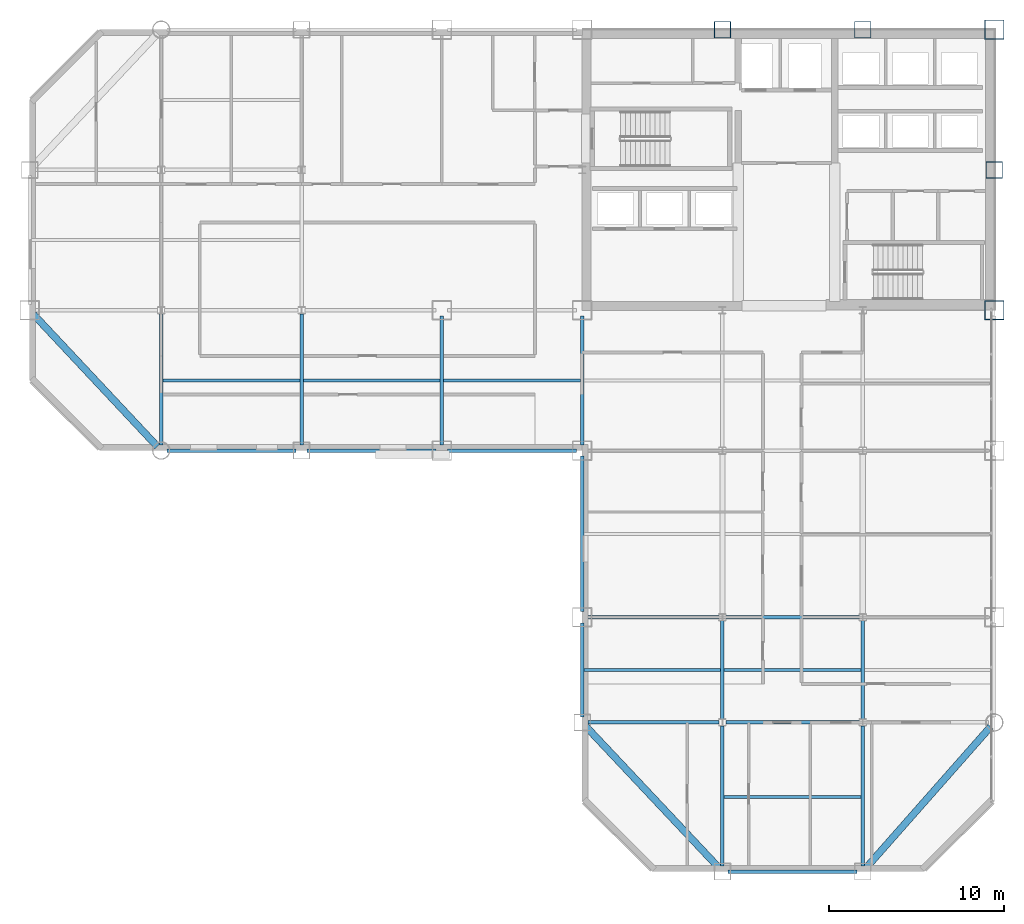
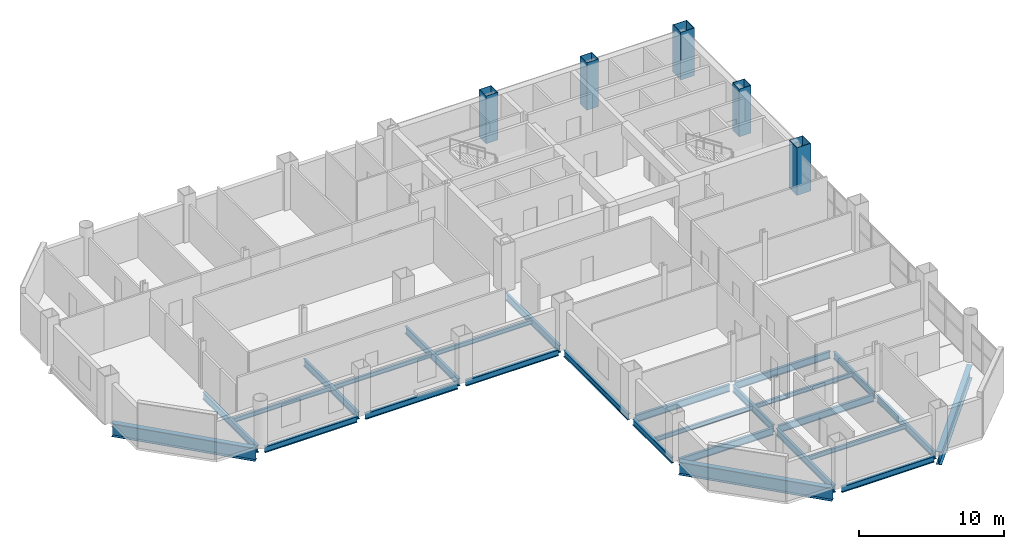
# One storey, part 4 of 16: 27 beams, 5 columns.
"""IFC4 building model written with IfcOpenShell, lengths in metres."""

from ifc_helpers import new_model, si_unit, direction, frame, origin, origin_2d, place, context, subcontext, project, spatial, hollow_rectangle, i_section, extrude, material, material_profile, profile_set, type_object, element, save


model = new_model("IFC4")

# Units and contexts
model_context = context("Model", 3, precision=1e-05, world=origin(), true_north=direction((0.0, 1.0)))
body_context = subcontext(model_context, "Body", "Model", "MODEL_VIEW")
ifc_project = project(units=[si_unit("LENGTHUNIT", "METRE"), si_unit("AREAUNIT", "SQUARE_METRE"), si_unit("VOLUMEUNIT", "CUBIC_METRE"), si_unit("PLANEANGLEUNIT", "RADIAN"), si_unit("MASSUNIT", "GRAM", prefix="KILO")], contexts=[model_context])

# Site, building, storey
site_placement = place(None, origin())
site = spatial("IfcSite", under=ifc_project, at=site_placement, CompositionType="ELEMENT")
building_placement = place(site_placement, origin())
building = spatial("IfcBuilding", under=site, at=building_placement, Name="Qianrong Seaharbour Tower", CompositionType="ELEMENT")
storey_placement = place(building_placement, frame((0.0, 0.0, 127.0)))
storey = spatial("IfcBuildingStorey", under=building, at=storey_placement, Name="L30", CompositionType="ELEMENT", Elevation=127.0)

# Columns
ifc_material_1 = material(Name="Structural steel SN490B", Category="steel")
ifc_material_profile_1 = material_profile(ifc_material_1, hollow_rectangle(XDim=1.10009765625, YDim=1.10009765625, WallThickness=0.0400390625, at=origin_2d()), Name="BOX1100x1100x40")
ifc_profile_set_1 = profile_set([ifc_material_profile_1], Name="Structural steel SN490B")
column_type_1 = type_object("IfcColumnType", Name="COL-CFT-1100", PredefinedType="COLUMN", material=ifc_profile_set_1)
for number, where, z_axis, x_axis, name in (
    (1, (64.0, 36.0, 0.0), (0.0, 0.0, 1.0), (1.0, 0.0, 0.0), "L30 Column MC-3 at G9/GF"),
    (2, (64.0, 52.0, 0.0), (0.0, 0.0, 1.0), (1.0, 0.0, 0.0), "L30 Column MC-3 at G9/GH"),
):
    element("IfcColumn", number, at=place(storey_placement, frame(where, z_axis=z_axis, x_axis=x_axis)), inside=storey, type_object=column_type_1, Name=name, PredefinedType="COLUMN", context=body_context, shape_type="SweptSolid", body=[
        extrude(hollow_rectangle(XDim=1.10009765625, YDim=1.10009765625, WallThickness=0.0400390625, at=origin_2d()), origin(), (0.0, 0.0, 1.0), 4.0),
    ])
ifc_material_profile_2 = material_profile(ifc_material_1, hollow_rectangle(XDim=0.949951171875, YDim=0.949951171875, WallThickness=0.035888671875, at=origin_2d()), Name="BOX950x950x36")
ifc_profile_set_2 = profile_set([ifc_material_profile_2], Name="Structural steel SN490B")
column_type_2 = type_object("IfcColumnType", Name="COL-PER-950", PredefinedType="COLUMN", material=ifc_profile_set_2)
for number, where, z_axis, x_axis, name in (
    (3, (48.5, 52.0, 0.0), (0.0, 0.0, 1.0), (1.0, 0.0, 0.0), "L30 Column PC-2 at G7/GH"),
    (4, (56.5, 52.0, 0.0), (0.0, 0.0, 1.0), (1.0, 0.0, 0.0), "L30 Column PC-2 at G8/GH"),
    (5, (64.0, 44.0, 0.0), (0.0, 0.0, 1.0), (1.0, 0.0, 0.0), "L30 Column PC-2 at G9/GG"),
):
    element("IfcColumn", number, at=place(storey_placement, frame(where, z_axis=z_axis, x_axis=x_axis)), inside=storey, type_object=column_type_2, Name=name, PredefinedType="COLUMN", context=body_context, shape_type="SweptSolid", body=[
        extrude(hollow_rectangle(XDim=0.949951171875, YDim=0.949951171875, WallThickness=0.035888671875, at=origin_2d()), origin(), (0.0, 0.0, 1.0), 4.0),
    ])

# Beams
ifc_material_profile_3 = material_profile(ifc_material_1, i_section(OverallWidth=0.199951171875, OverallDepth=0.60009765625, WebThickness=0.010986328125, FlangeThickness=0.01708984375, FilletRadius=0.02197265625, at=origin_2d()), Name="H600x200x11x17")
ifc_profile_set_3 = profile_set([ifc_material_profile_3], Name="Structural steel SN490B")
beam_type_1 = type_object("IfcBeamType", Name="BM-G-600", PredefinedType="BEAM", material=ifc_profile_set_3)
beam_1_placement = place(storey_placement, frame((40.820068359375, 12.5, -0.534912109375), z_axis=(1.0, 0.0, 0.0), x_axis=(0.0, 1.0, 0.0)))
element("IfcBeam", 6, at=beam_1_placement, inside=storey, type_object=beam_type_1, Name="L30 Primary Girder GC G6-G7", PredefinedType="BEAM", context=body_context, shape_type="SweptSolid", body=[
    extrude(i_section(OverallWidth=0.199951171875, OverallDepth=0.60009765625, WebThickness=0.010986328125, FlangeThickness=0.01708984375, FilletRadius=0.02197265625, at=origin_2d()), origin(), (0.0, 0.0, 1.0), 7.47998046875),
])
beam_2_placement = place(storey_placement, frame((48.699951171875, 12.5, -0.534912109375), z_axis=(1.0, 0.0, 0.0), x_axis=(0.0, 1.0, 0.0)))
element("IfcBeam", 7, at=beam_2_placement, inside=storey, type_object=beam_type_1, Name="L30 Primary Girder GC G7-G8", PredefinedType="BEAM", context=body_context, shape_type="SweptSolid", body=[
    extrude(i_section(OverallWidth=0.199951171875, OverallDepth=0.60009765625, WebThickness=0.010986328125, FlangeThickness=0.01708984375, FilletRadius=0.02197265625, at=origin_2d()), origin(), (0.0, 0.0, 1.0), 7.60009765625),
])
beam_3_placement = place(storey_placement, frame((40.820068359375, 18.5, -0.534912109375), z_axis=(1.0, 0.0, 0.0), x_axis=(0.0, 1.0, 0.0)))
element("IfcBeam", 8, at=beam_3_placement, inside=storey, type_object=beam_type_1, Name="L30 Primary Girder GD G6-G7", PredefinedType="BEAM", context=body_context, shape_type="SweptSolid", body=[
    extrude(i_section(OverallWidth=0.199951171875, OverallDepth=0.60009765625, WebThickness=0.010986328125, FlangeThickness=0.01708984375, FilletRadius=0.02197265625, at=origin_2d()), origin(), (0.0, 0.0, 1.0), 7.47998046875),
])
beam_4_placement = place(storey_placement, frame((48.699951171875, 18.5, -0.534912109375), z_axis=(1.0, 0.0, 0.0), x_axis=(0.0, 1.0, 0.0)))
element("IfcBeam", 9, at=beam_4_placement, inside=storey, type_object=beam_type_1, Name="L30 Primary Girder GD G7-G8", PredefinedType="BEAM", context=body_context, shape_type="SweptSolid", body=[
    extrude(i_section(OverallWidth=0.199951171875, OverallDepth=0.60009765625, WebThickness=0.010986328125, FlangeThickness=0.01708984375, FilletRadius=0.02197265625, at=origin_2d()), origin(), (0.0, 0.0, 1.0), 7.60009765625),
])
for number, where, z_axis, x_axis, name in (
    (10, (16.5, 28.320068359375, -0.534912109375), (0.0, 1.0, 0.0), (-1.0, 0.0, 0.0), "L30 Primary Girder G3 GE-GF"),
    (11, (24.5, 28.320068359375, -0.534912109375), (0.0, 1.0, 0.0), (-1.0, 0.0, 0.0), "L30 Primary Girder G4 GE-GF"),
):
    element("IfcBeam", number, at=place(storey_placement, frame(where, z_axis=z_axis, x_axis=x_axis)), inside=storey, type_object=beam_type_1, Name=name, PredefinedType="BEAM", context=body_context, shape_type="SweptSolid", body=[
        extrude(i_section(OverallWidth=0.199951171875, OverallDepth=0.60009765625, WebThickness=0.010986328125, FlangeThickness=0.01708984375, FilletRadius=0.02197265625, at=origin_2d()), origin(), (0.0, 0.0, 1.0), 7.47998046875),
    ])
for number, where, z_axis, x_axis, name in (
    (12, (32.5, 28.320068359375, -0.534912109375), (0.0, 1.0, 0.0), (-1.0, 0.0, 0.0), "L30 Primary Girder G5 GE-GF"),
    (13, (40.5, 28.320068359375, -0.534912109375), (0.0, 1.0, 0.0), (-1.0, 0.0, 0.0), "L30 Primary Girder G6 GE-GF"),
):
    element("IfcBeam", number, at=place(storey_placement, frame(where, z_axis=z_axis, x_axis=x_axis)), inside=storey, type_object=beam_type_1, Name=name, PredefinedType="BEAM", context=body_context, shape_type="SweptSolid", body=[
        extrude(i_section(OverallWidth=0.199951171875, OverallDepth=0.60009765625, WebThickness=0.010986328125, FlangeThickness=0.01708984375, FilletRadius=0.02197265625, at=origin_2d()), origin(), (0.0, 0.0, 1.0), 7.35986328125),
    ])
beam_5_placement = place(storey_placement, frame((48.5, 4.320068359375, -0.534912109375), z_axis=(0.0, 1.0, 0.0), x_axis=(-1.0, 0.0, 0.0)))
element("IfcBeam", 14, at=beam_5_placement, inside=storey, type_object=beam_type_1, Name="L30 Primary Girder G7 GB-GC", PredefinedType="BEAM", context=body_context, shape_type="SweptSolid", body=[
    extrude(i_section(OverallWidth=0.199951171875, OverallDepth=0.60009765625, WebThickness=0.010986328125, FlangeThickness=0.01708984375, FilletRadius=0.02197265625, at=origin_2d()), origin(), (0.0, 0.0, 1.0), 7.97998046875),
])
beam_6_placement = place(storey_placement, frame((48.5, 12.699951171875, -0.534912109375), z_axis=(0.0, 1.0, 0.0), x_axis=(-1.0, 0.0, 0.0)))
element("IfcBeam", 15, at=beam_6_placement, inside=storey, type_object=beam_type_1, Name="L30 Primary Girder G7 GC-GD", PredefinedType="BEAM", context=body_context, shape_type="SweptSolid", body=[
    extrude(i_section(OverallWidth=0.199951171875, OverallDepth=0.60009765625, WebThickness=0.010986328125, FlangeThickness=0.01708984375, FilletRadius=0.02197265625, at=origin_2d()), origin(), (0.0, 0.0, 1.0), 5.60009765625),
])
beam_7_placement = place(storey_placement, frame((56.5, 4.320068359375, -0.534912109375), z_axis=(0.0, 1.0, 0.0), x_axis=(-1.0, 0.0, 0.0)))
element("IfcBeam", 16, at=beam_7_placement, inside=storey, type_object=beam_type_1, Name="L30 Primary Girder G8 GB-GC", PredefinedType="BEAM", context=body_context, shape_type="SweptSolid", body=[
    extrude(i_section(OverallWidth=0.199951171875, OverallDepth=0.60009765625, WebThickness=0.010986328125, FlangeThickness=0.01708984375, FilletRadius=0.02197265625, at=origin_2d()), origin(), (0.0, 0.0, 1.0), 7.97998046875),
])
beam_8_placement = place(storey_placement, frame((56.5, 12.699951171875, -0.534912109375), z_axis=(0.0, 1.0, 0.0), x_axis=(-1.0, 0.0, 0.0)))
element("IfcBeam", 17, at=beam_8_placement, inside=storey, type_object=beam_type_1, Name="L30 Primary Girder G8 GC-GD", PredefinedType="BEAM", context=body_context, shape_type="SweptSolid", body=[
    extrude(i_section(OverallWidth=0.199951171875, OverallDepth=0.60009765625, WebThickness=0.010986328125, FlangeThickness=0.01708984375, FilletRadius=0.02197265625, at=origin_2d()), origin(), (0.0, 0.0, 1.0), 5.60009765625),
])
ifc_material_2 = material(Name="Structural steel SN400B", Category="steel")
ifc_material_profile_4 = material_profile(ifc_material_2, i_section(OverallWidth=0.175048828125, OverallDepth=0.35009765625, WebThickness=0.007080078125, FlangeThickness=0.010986328125, FilletRadius=0.013916015625, at=origin_2d()), Name="H350x175x7x11")
ifc_profile_set_4 = profile_set([ifc_material_profile_4], Name="Structural steel SN400B")
beam_type_2 = type_object("IfcBeamType", Name="BM-J-350", PredefinedType="JOIST", material=ifc_profile_set_4)
for number, where, z_axis, x_axis, name in (
    (18, (16.60009765625, 32.0, -0.409912109375), (1.0, 0.0, 0.0), (0.0, 1.0, 0.0), "L30 Composite Floor Joist G3-G4/GE-GF"),
    (19, (24.60009765625, 32.0, -0.409912109375), (1.0, 0.0, 0.0), (0.0, 1.0, 0.0), "L30 Composite Floor Joist G4-G5/GE-GF"),
    (20, (32.60009765625, 32.0, -0.409912109375), (1.0, 0.0, 0.0), (0.0, 1.0, 0.0), "L30 Composite Floor Joist G5-G6/GE-GF"),
    (21, (40.60009765625, 15.5, -0.409912109375), (1.0, 0.0, 0.0), (0.0, 1.0, 0.0), "L30 Composite Floor Joist G6-G7/GC-GD"),
    (22, (48.60009765625, 8.25, -0.409912109375), (1.0, 0.0, 0.0), (0.0, 1.0, 0.0), "L30 Composite Floor Joist G7-G8/GB-GC"),
    (23, (48.60009765625, 15.5, -0.409912109375), (1.0, 0.0, 0.0), (0.0, 1.0, 0.0), "L30 Composite Floor Joist G7-G8/GC-GD"),
):
    element("IfcBeam", number, at=place(storey_placement, frame(where, z_axis=z_axis, x_axis=x_axis)), inside=storey, type_object=beam_type_2, Name=name, PredefinedType="JOIST", context=body_context, shape_type="SweptSolid", body=[
        extrude(i_section(OverallWidth=0.175048828125, OverallDepth=0.35009765625, WebThickness=0.007080078125, FlangeThickness=0.010986328125, FilletRadius=0.013916015625, at=origin_2d()), origin(), (0.0, 0.0, 1.0), 7.7998046875),
    ])
ifc_material_profile_5 = material_profile(ifc_material_1, i_section(OverallWidth=0.199951171875, OverallDepth=0.5, WebThickness=0.010009765625, FlangeThickness=0.01611328125, FilletRadius=0.02001953125, at=origin_2d()), Name="H500x200x10x16")
ifc_profile_set_5 = profile_set([ifc_material_profile_5], Name="Structural steel SN490B")
beam_type_3 = type_object("IfcBeamType", Name="BM-SP-500", PredefinedType="SPANDREL", material=ifc_profile_set_5)
for number, where, z_axis, x_axis, name in (
    (24, (48.820068359375, 4.0, -0.485107421875), (1.0, 0.0, 0.0), (0.0, 1.0, 0.0), "L30 Spandrel Girder GB G7-G8"),
    (25, (16.820068359375, 28.0, -0.485107421875), (1.0, 0.0, 0.0), (0.0, 1.0, 0.0), "L30 Spandrel Girder GE G3-G4"),
    (26, (24.820068359375, 28.0, -0.485107421875), (1.0, 0.0, 0.0), (0.0, 1.0, 0.0), "L30 Spandrel Girder GE G4-G5"),
    (27, (32.820068359375, 28.0, -0.485107421875), (1.0, 0.0, 0.0), (0.0, 1.0, 0.0), "L30 Spandrel Girder GE G5-G6"),
):
    element("IfcBeam", number, at=place(storey_placement, frame(where, z_axis=z_axis, x_axis=x_axis)), inside=storey, type_object=beam_type_3, Name=name, PredefinedType="SPANDREL", context=body_context, shape_type="SweptSolid", body=[
        extrude(i_section(OverallWidth=0.199951171875, OverallDepth=0.5, WebThickness=0.010009765625, FlangeThickness=0.01611328125, FilletRadius=0.02001953125, at=origin_2d()), origin(), (0.0, 0.0, 1.0), 7.35986328125),
    ])
beam_9_placement = place(storey_placement, frame((40.5, 12.820068359375, -0.485107421875), z_axis=(0.0, 1.0, 0.0), x_axis=(-1.0, 0.0, 0.0)))
element("IfcBeam", 28, at=beam_9_placement, inside=storey, type_object=beam_type_3, Name="L30 Spandrel Girder G6 GC-GD", PredefinedType="SPANDREL", context=body_context, shape_type="SweptSolid", body=[
    extrude(i_section(OverallWidth=0.199951171875, OverallDepth=0.5, WebThickness=0.010009765625, FlangeThickness=0.01611328125, FilletRadius=0.02001953125, at=origin_2d()), origin(), (0.0, 0.0, 1.0), 5.35986328125),
])
beam_10_placement = place(storey_placement, frame((40.5, 18.820068359375, -0.485107421875), z_axis=(0.0, 1.0, 0.0), x_axis=(-1.0, 0.0, 0.0)))
element("IfcBeam", 29, at=beam_10_placement, inside=storey, type_object=beam_type_3, Name="L30 Spandrel Girder G6 GD-GE", PredefinedType="SPANDREL", context=body_context, shape_type="SweptSolid", body=[
    extrude(i_section(OverallWidth=0.199951171875, OverallDepth=0.5, WebThickness=0.010009765625, FlangeThickness=0.01611328125, FilletRadius=0.02001953125, at=origin_2d()), origin(), (0.0, 0.0, 1.0), 8.85986328125),
])
ifc_material_profile_6 = material_profile(ifc_material_1, i_section(OverallWidth=0.39990234375, OverallDepth=1.10009765625, WebThickness=0.02001953125, FlangeThickness=0.035888671875, at=origin_2d()), Name="BH1100x400x20x36")
ifc_profile_set_6 = profile_set([ifc_material_profile_6], Name="Structural steel SN490B")
beam_type_4 = type_object("IfcBeamType", Name="BM-TG-1100", PredefinedType="BEAM", material=ifc_profile_set_6)
beam_11_placement = place(storey_placement, frame((16.28125, 28.2333984375, -0.784912109375), z_axis=(-0.683947420573, 0.729531305628, 0.0), x_axis=(-0.729531305628, -0.683947420573, 0.0)))
element("IfcBeam", 30, at=beam_11_placement, inside=storey, type_object=beam_type_4, Name="L30 Chamfer Corner Spandrel Girder G2/GE", PredefinedType="BEAM", context=body_context, shape_type="SweptSolid", body=[
    extrude(i_section(OverallWidth=0.39990234375, OverallDepth=1.10009765625, WebThickness=0.02001953125, FlangeThickness=0.035888671875, at=origin_2d()), origin(), (0.0, 0.0, 1.0), 10.326171875),
])
beam_12_placement = place(storey_placement, frame((48.28076171875, 4.23291015625, -0.784912109375), z_axis=(-0.685361938021, 0.728202591256, 0.0), x_axis=(-0.728202591256, -0.685361938021, 0.0)))
element("IfcBeam", 31, at=beam_12_placement, inside=storey, type_object=beam_type_4, Name="L30 Chamfer Corner Spandrel Girder G6/GB", PredefinedType="BEAM", context=body_context, shape_type="SweptSolid", body=[
    extrude(i_section(OverallWidth=0.39990234375, OverallDepth=1.10009765625, WebThickness=0.02001953125, FlangeThickness=0.035888671875, at=origin_2d()), origin(), (0.0, 0.0, 1.0), 11.032958984375),
])
beam_13_placement = place(storey_placement, frame((56.711669921875, 4.239990234375, -0.784912109375), z_axis=(0.661630696334, 0.749829861815, 0.0), x_axis=(-0.749829861815, 0.661630696334, 0.0)))
element("IfcBeam", 32, at=beam_13_placement, inside=storey, type_object=beam_type_4, Name="L30 Chamfer Corner Spandrel Girder G9/GB", PredefinedType="BEAM", context=body_context, shape_type="SweptSolid", body=[
    extrude(i_section(OverallWidth=0.39990234375, OverallDepth=1.10009765625, WebThickness=0.02001953125, FlangeThickness=0.035888671875, at=origin_2d()), origin(), (0.0, 0.0, 1.0), 10.69580078125),
])

save(model, "model.ifc")
